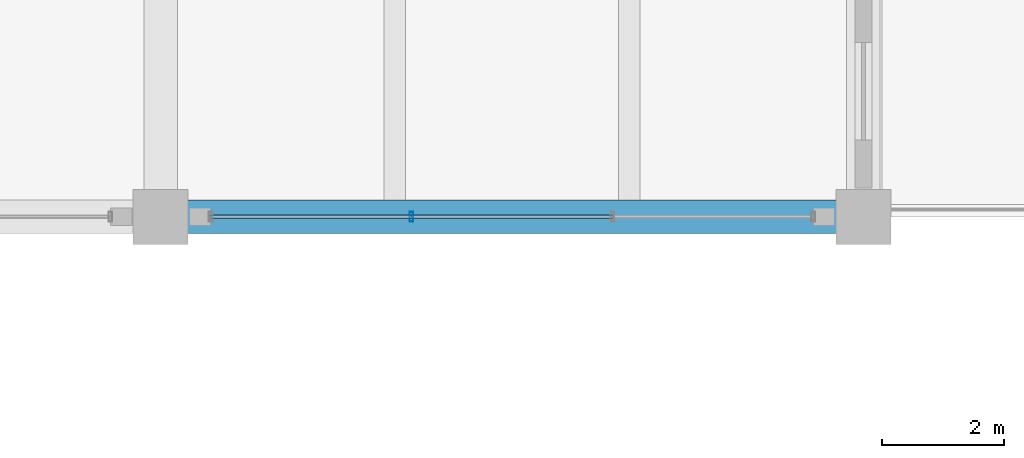
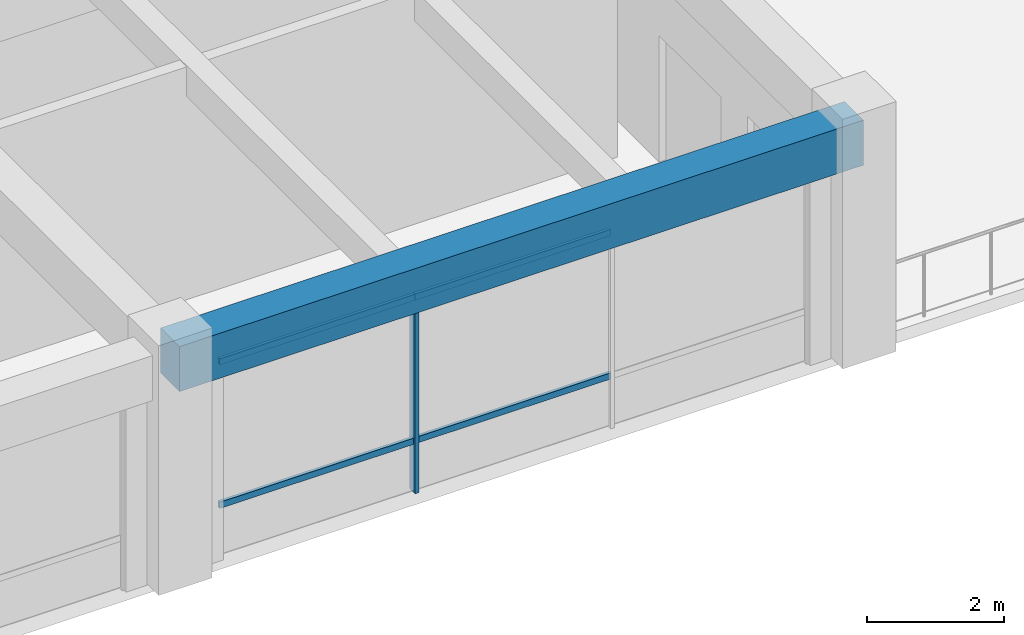
# One storey, part 13 of 27: 5 members, 1 beam, 1 element without a shape of its own.
"""IFC4 building model written with IfcOpenShell, lengths in metres."""

from ifc_helpers import new_model, si_unit, direction, frame, origin, origin_2d, place, context, subcontext, project, spatial, rectangle, hollow_rectangle, extrude, material, material_profile, profile_set, type_object, element, aggregate, save


model = new_model("IFC4")

# Units and contexts
model_context = context("Model", 3, precision=1e-05, world=origin(), true_north=direction((0.0, 1.0)))
body_context = subcontext(model_context, "Body", "Model", "MODEL_VIEW")
ifc_project = project(units=[si_unit("LENGTHUNIT", "METRE"), si_unit("AREAUNIT", "SQUARE_METRE"), si_unit("VOLUMEUNIT", "CUBIC_METRE"), si_unit("PLANEANGLEUNIT", "RADIAN"), si_unit("MASSUNIT", "GRAM", prefix="KILO")], contexts=[model_context])

# Site, building, storey
site_placement = place(None, origin())
site = spatial("IfcSite", under=ifc_project, at=site_placement, CompositionType="ELEMENT")
building_placement = place(site_placement, origin())
building = spatial("IfcBuilding", under=site, at=building_placement, Name="Ologun Quay Terminus", CompositionType="ELEMENT")
storey_placement = place(building_placement, frame((0.0, 0.0, 22.4599609375)))
storey = spatial("IfcBuildingStorey", under=building, at=storey_placement, Name="L05", CompositionType="ELEMENT", Elevation=22.4599609375)

# Curtain wall, members
ifc_material_1 = material(Name="Aluminium 6063-T6", Category="aluminium")
curtain_wall_type = type_object("IfcCurtainWallType", Name="Operations Wing Canteen Curtain Wall L05 10600x4050", PredefinedType="USERDEFINED", material=ifc_material_1)
curtain_wall_placement = place(storey_placement, origin())
curtain_wall = element("IfcCurtainWall", 1, at=curtain_wall_placement, inside=storey, type_object=curtain_wall_type, Name="CW-28 Curtain Wall CW-L05-153", ObjectType="UNITISED CURTAIN WALL", PredefinedType="USERDEFINED")
ifc_material_2 = material(Name="Aluminium 6063-T6", Category="aluminium")
ifc_material_profile_1 = material_profile(ifc_material_2, hollow_rectangle(XDim=0.06005859375, YDim=0.159912109375, WallThickness=0.00390625, at=origin_2d()), Name="ALU 160x60x4")
ifc_profile_set_1 = profile_set([ifc_material_profile_1], Name="Aluminium 6063-T6")
member_type_1 = type_object("IfcMemberType", Name="Courtyard Screen Mullion 160x65", PredefinedType="MULLION", material=ifc_profile_set_1)
member_1_placement = place(storey_placement, frame((142.106689453125, 85.800048828125, 0.0), z_axis=(0.0, 0.0, 1.0), x_axis=(1.0, 0.0, 0.0)))
member_1 = element("IfcMember", 2, at=member_1_placement, type_object=member_type_1, Name="CW-L05-153 Mullion 2", PredefinedType="MULLION", context=body_context, shape_type="SweptSolid", body=[
    extrude(hollow_rectangle(XDim=0.06005859375, YDim=0.159912109375, WallThickness=0.00390625, at=origin_2d()), origin(), (0.0, 0.0, 1.0), 4.150146484375),
])
ifc_material_3 = material(Name="Aluminium 6063-T6", Category="aluminium")
ifc_material_profile_2 = material_profile(ifc_material_3, hollow_rectangle(XDim=0.054931640625, YDim=0.110107421875, WallThickness=0.00390625, at=origin_2d()), Name="ALU 110x55x4")
ifc_profile_set_2 = profile_set([ifc_material_profile_2], Name="Aluminium 6063-T6")
member_type_2 = type_object("IfcMemberType", Name="Courtyard Screen Transom 110x55", PredefinedType="USERDEFINED", material=ifc_profile_set_2)
member_2_placement = place(storey_placement, frame((138.820068359375, 85.800048828125, 0.900146484375), z_axis=(1.0, 0.0, 0.0), x_axis=(0.0, 1.0, 0.0)))
member_2 = element("IfcMember", 3, at=member_2_placement, type_object=member_type_2, Name="CW-L05-153 Transom B1-1", ObjectType="TRANSOM", PredefinedType="USERDEFINED", context=body_context, shape_type="SweptSolid", body=[
    extrude(hollow_rectangle(XDim=0.054931640625, YDim=0.110107421875, WallThickness=0.00390625, at=origin_2d()), origin(), (0.0, 0.0, 1.0), 3.28662109375),
])
member_3_placement = place(storey_placement, frame((138.820068359375, 85.800048828125, 3.449951171875), z_axis=(1.0, 0.0, 0.0), x_axis=(0.0, 1.0, 0.0)))
member_3 = element("IfcMember", 4, at=member_3_placement, type_object=member_type_2, Name="CW-L05-153 Transom B1-2", ObjectType="TRANSOM", PredefinedType="USERDEFINED", context=body_context, shape_type="SweptSolid", body=[
    extrude(hollow_rectangle(XDim=0.054931640625, YDim=0.110107421875, WallThickness=0.00390625, at=origin_2d()), origin(), (0.0, 0.0, 1.0), 3.28662109375),
])
member_4_placement = place(storey_placement, frame((142.106689453125, 85.800048828125, 0.900146484375), z_axis=(1.0, 0.0, 0.0), x_axis=(0.0, 1.0, 0.0)))
member_4 = element("IfcMember", 5, at=member_4_placement, type_object=member_type_2, Name="CW-L05-153 Transom B2-1", ObjectType="TRANSOM", PredefinedType="USERDEFINED", context=body_context, shape_type="SweptSolid", body=[
    extrude(hollow_rectangle(XDim=0.054931640625, YDim=0.110107421875, WallThickness=0.00390625, at=origin_2d()), origin(), (0.0, 0.0, 1.0), 3.28662109375),
])
member_5_placement = place(storey_placement, frame((142.106689453125, 85.800048828125, 3.449951171875), z_axis=(1.0, 0.0, 0.0), x_axis=(0.0, 1.0, 0.0)))
member_5 = element("IfcMember", 6, at=member_5_placement, type_object=member_type_2, Name="CW-L05-153 Transom B2-2", ObjectType="TRANSOM", PredefinedType="USERDEFINED", context=body_context, shape_type="SweptSolid", body=[
    extrude(hollow_rectangle(XDim=0.054931640625, YDim=0.110107421875, WallThickness=0.00390625, at=origin_2d()), origin(), (0.0, 0.0, 1.0), 3.28662109375),
])
aggregate(curtain_wall, [member_1, member_2, member_3, member_4, member_5])

# Beam
ifc_material_4 = material(Name="Concrete C40/50", Category="concrete")
ifc_material_profile_3 = material_profile(ifc_material_4, rectangle(XDim=0.550048828125, YDim=0.800048828125, at=origin_2d()), Name="RC 550x800")
ifc_profile_set_3 = profile_set([ifc_material_profile_3], Name="Concrete C40/50")
beam_type = type_object("IfcBeamType", Name="Courtyard Wing Primary Girder 550x800", PredefinedType="BEAM", material=ifc_profile_set_3)
beam_placement = place(storey_placement, frame((138.0, 85.800048828125, 3.760009765625), z_axis=(1.0, 0.0, 0.0), x_axis=(0.0, 1.0, 0.0)))
element("IfcBeam", 7, at=beam_placement, inside=storey, type_object=beam_type, Name="B4 Beam 13/G2 L05", PredefinedType="BEAM", context=body_context, shape_type="SweptSolid", body=[
    extrude(rectangle(XDim=0.550048828125, YDim=0.800048828125, at=origin_2d()), origin(), (0.0, 0.0, 1.0), 11.5),
])

save(model, "model.ifc")
